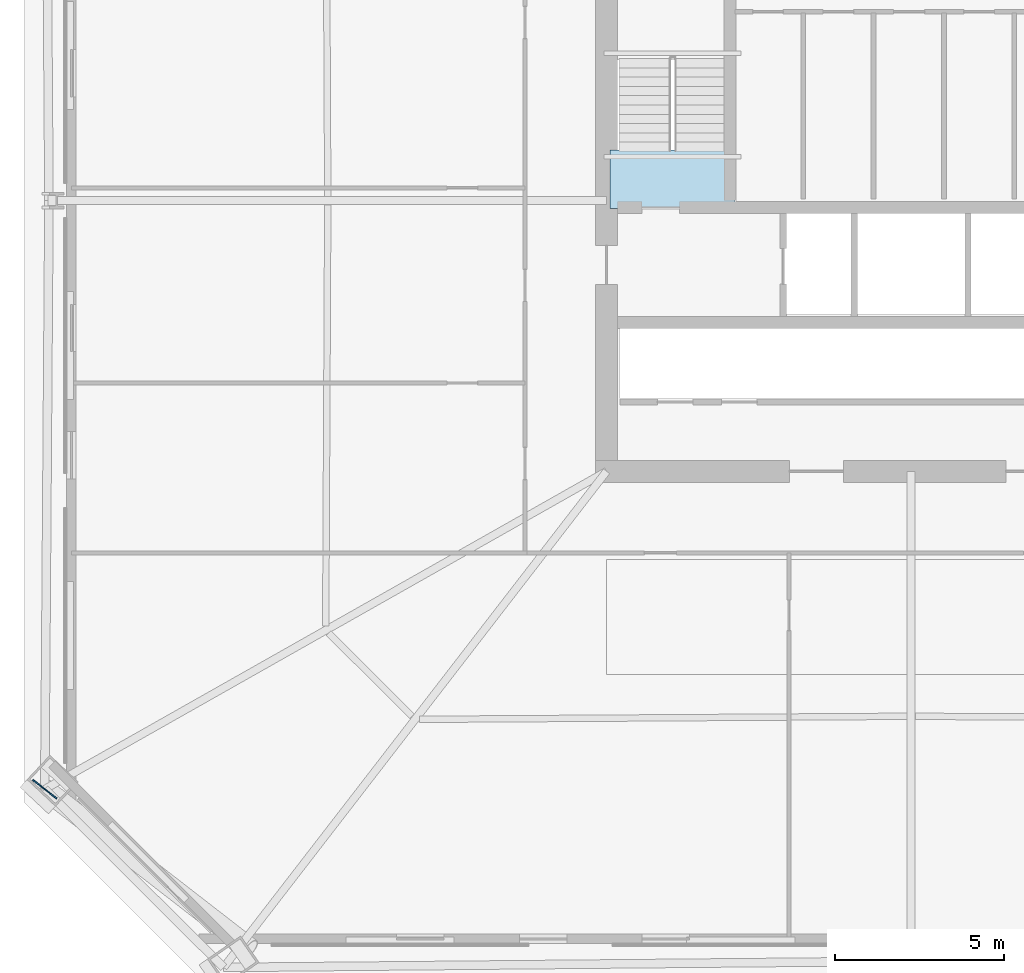
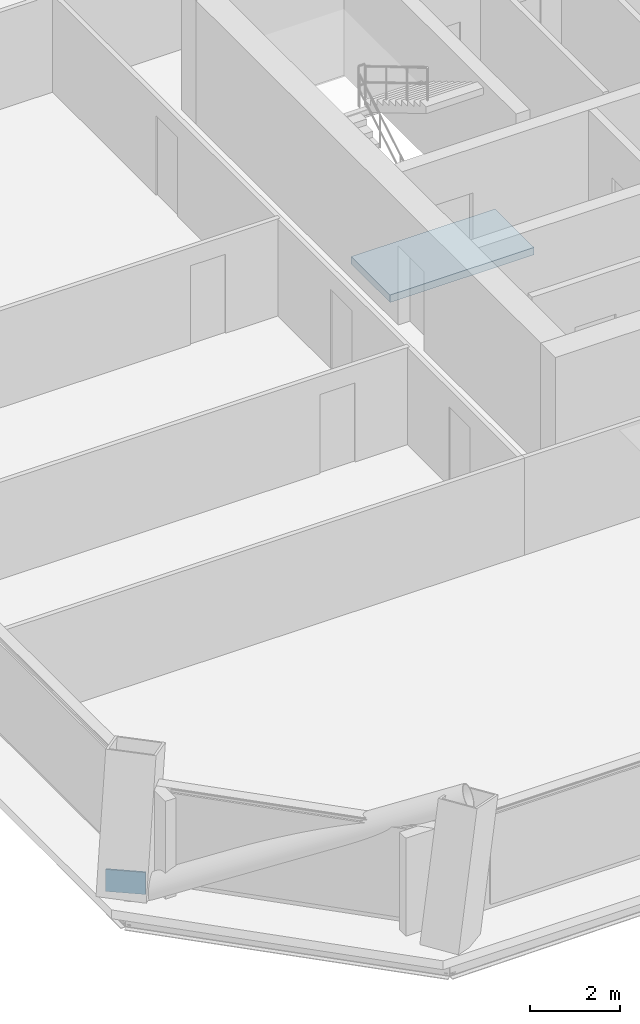
# One storey, part 2 of 10: 1 plate, 1 slab, 1 element without a shape of its own.
"""IFC4 building model written with IfcOpenShell, lengths in metres."""

from ifc_helpers import new_model, si_unit, direction, frame, origin, origin_2d, place, context, subcontext, project, spatial, polyline, rectangle, outline, extrude, material, layer, layer_set, type_object, element, aggregate, save


model = new_model("IFC4")

# Units and contexts
model_context = context("Model", 3, precision=1e-05, world=origin(), true_north=direction((0.0, 1.0)))
body_context = subcontext(model_context, "Body", "Model", "MODEL_VIEW")
ifc_project = project(units=[si_unit("LENGTHUNIT", "METRE"), si_unit("AREAUNIT", "SQUARE_METRE"), si_unit("VOLUMEUNIT", "CUBIC_METRE"), si_unit("PLANEANGLEUNIT", "RADIAN"), si_unit("MASSUNIT", "GRAM", prefix="KILO")], contexts=[model_context])

# Site, building, storey
site_placement = place(None, origin())
site = spatial("IfcSite", under=ifc_project, at=site_placement, CompositionType="ELEMENT")
building_placement = place(site_placement, origin())
building = spatial("IfcBuilding", under=site, at=building_placement, Name="Caelvoria Tower", CompositionType="ELEMENT")
storey_placement = place(building_placement, frame((0.0, 0.0, 78.39990234375)))
storey = spatial("IfcBuildingStorey", under=building, at=storey_placement, Name="L20", CompositionType="ELEMENT", Elevation=78.39990234375)

# Plate
ifc_material_1 = material(Name="Structural Steel ASTM A572 Gr.50", Category="steel")
ifc_layer_1 = layer(ifc_material_1, 0.0400390625, Name="Structural Steel ASTM A572 Gr.50")
ifc_layer_set_1 = layer_set([ifc_layer_1], Name="Megaframe Node Gusset Plate 900x600x40 - Structural Steel ASTM A572 Gr.50")
plate_type = type_object("IfcPlateType", Name="Megaframe Node Gusset Plate 900x600x40", PredefinedType="USERDEFINED", material=ifc_layer_set_1)
plate_placement = place(storey_placement, frame((20.3955078125, 14.6044921875, 0.02001953125), z_axis=(0.0, 0.0, 1.0), x_axis=(0.790281223122, -0.612744309138, 0.0)))
element("IfcPlate", 1, at=plate_placement, inside=storey, type_object=plate_type, Name="Chamfer Mega Brace Gusset L20 SW", ObjectType="GUSSET_PLATE", PredefinedType="USERDEFINED", context=body_context, shape_type="SweptSolid", body=[
    extrude(rectangle(XDim=0.89990234375, YDim=0.0400390625, at=origin_2d()), origin(), (0.0, 0.0, 1.0), 0.60009765625),
])

# Stair, slab
ifc_material_2 = material(Name="Concrete C40/50", Category="concrete")
stair_type = type_object("IfcStairType", Name="Core Smokeproof Dogleg Stair Concrete C40/50", PredefinedType="HALF_TURN_STAIR", material=ifc_material_2)
stair_placement = place(storey_placement, origin())
stair = element("IfcStair", 2, at=stair_placement, inside=storey, type_object=stair_type, Name="ST-01 Smokeproof Exit Stair L20", PredefinedType="HALF_TURN_STAIR")
ifc_layer_2 = layer(ifc_material_2, 0.199951171875, Name="Concrete C40/50")
ifc_layer_set_2 = layer_set([ifc_layer_2], Name="Stair Half and Floor Landing Slab 200 Concrete C40/50 - Concrete C40/50")
slab_type = type_object("IfcSlabType", Name="Stair Half and Floor Landing Slab 200 Concrete C40/50", PredefinedType="LANDING", material=ifc_layer_set_2)
slab_placement = place(storey_placement, frame((0.0, 0.0, -0.199951171875)))
slab = element("IfcSlab", 3, at=slab_placement, type_object=slab_type, Name="ST-01 landing 1", PredefinedType="LANDING", context=body_context, shape_type="SweptSolid", body=[
    extrude(outline(polyline([(37.10009765625, 31.77001953125), (40.800048828125, 31.77001953125), (40.800048828125, 33.5), (37.10009765625, 33.5), (37.10009765625, 31.77001953125)])), origin(), (0.0, 0.0, 1.0), 0.199951171875),
])
aggregate(stair, [slab])

save(model, "model.ifc")
